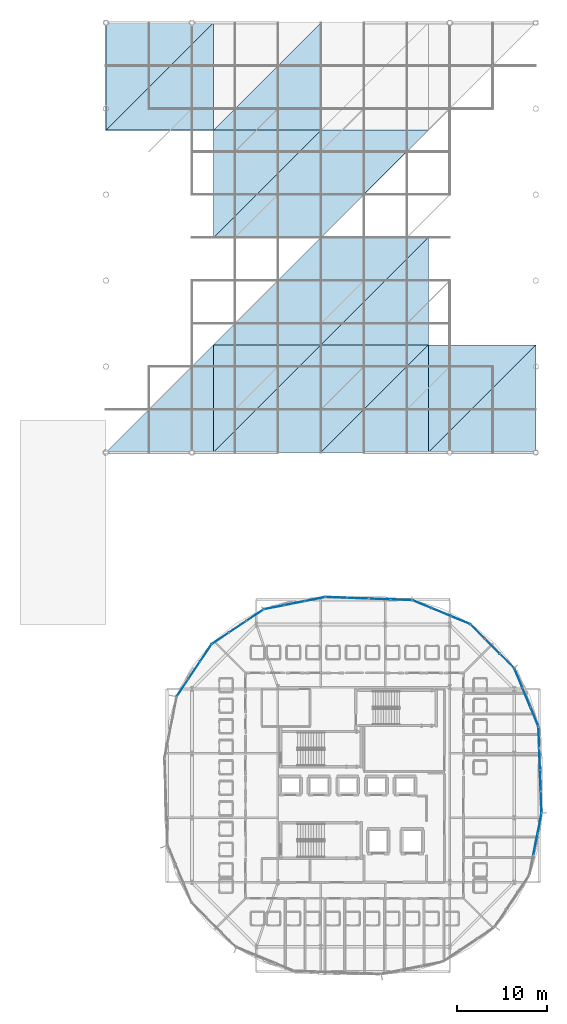
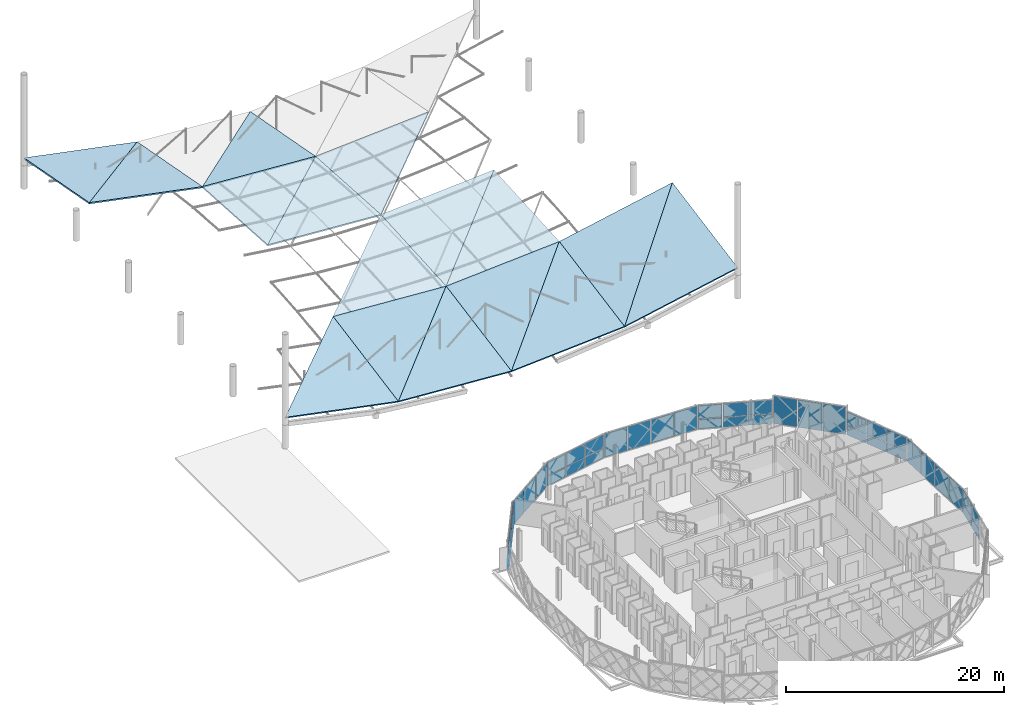
# One storey, part 26 of 40: 42 plates, 16 slabs, 9 elements without a shape of their own.
"""IFC4 building model written with IfcOpenShell, lengths in metres."""

from ifc_helpers import new_model, si_unit, direction, frame, origin, origin_2d, place, context, subcontext, project, spatial, polyline, rectangle, outline, extrude, material, layer, layer_set, type_object, element, aggregate, save


model = new_model("IFC4")

# Units and contexts
model_context = context("Model", 3, precision=1e-05, world=origin(), true_north=direction((0.0, 1.0)))
body_context = subcontext(model_context, "Body", "Model", "MODEL_VIEW")
ifc_project = project(units=[si_unit("LENGTHUNIT", "METRE"), si_unit("AREAUNIT", "SQUARE_METRE"), si_unit("VOLUMEUNIT", "CUBIC_METRE"), si_unit("PLANEANGLEUNIT", "RADIAN"), si_unit("MASSUNIT", "GRAM", prefix="KILO")], contexts=[model_context])

# Site, building, storey
site_placement = place(None, origin())
site = spatial("IfcSite", under=ifc_project, at=site_placement, CompositionType="ELEMENT")
building_placement = place(site_placement, origin())
building = spatial("IfcBuilding", under=site, at=building_placement, Name="Zevrakil Square Congress Hotel", CompositionType="ELEMENT")
storey_placement = place(building_placement, frame((0.0, 0.0, 18.10009765625)))
storey = spatial("IfcBuildingStorey", under=building, at=storey_placement, Name="L05", CompositionType="ELEMENT", Elevation=18.10009765625)

# Curtain wall, plates
ifc_material_1 = material(Name="Aluminium Anodised Bronze", Category="aluminium")
ifc_layer_1 = layer(ifc_material_1, 0.179931640625)
ifc_layer_set_1 = layer_set([ifc_layer_1], Name="Aluminium Anodised Bronze")
curtain_wall_type_1 = type_object("IfcCurtainWallType", Name="CW-L05-720", PredefinedType="USERDEFINED", material=ifc_layer_set_1)
curtain_wall_1_placement = place(storey_placement, origin())
curtain_wall_1 = element("IfcCurtainWall", 1, at=curtain_wall_1_placement, inside=storey, type_object=curtain_wall_type_1, Name="L05 diamond curtain wall CW-L05-0186", ObjectType="GLAZED CURTAIN WALL", PredefinedType="USERDEFINED")
ifc_material_2 = material(Name="Low-E Solar Control Double Glazing", Category="glass")
ifc_layer_2 = layer(ifc_material_2, 0.028076171875)
ifc_layer_set_2 = layer_set([ifc_layer_2], Name="Low-E Solar Control Double Glazing")
plate_type_1 = type_object("IfcPlateType", Name="CWP-GLAZ-28", PredefinedType="CURTAIN_PANEL", material=ifc_layer_set_2)
plate_1_placement = place(storey_placement, frame((165.569091796875, 21.06689453125, 1.1826171875), z_axis=(0.0, 0.0, 1.0), x_axis=(0.195083900459, 0.980786557708, 0.0)))
plate_1 = element("IfcPlate", 2, at=plate_1_placement, type_object=plate_type_1, Name="CW-58 panel 2.2", PredefinedType="CURTAIN_PANEL", context=body_context, shape_type="SweptSolid", body=[
    extrude(rectangle(XDim=2.275146484375, YDim=0.028076171875, at=origin_2d()), origin(), (0.0, 0.0, 1.0), 1.502197265625),
])
plate_2_placement = place(storey_placement, frame((166.021728515625, 23.342529296875, 1.1826171875), z_axis=(0.0, 0.0, 1.0), x_axis=(0.195083900459, 0.980786557708, 0.0)))
plate_2 = element("IfcPlate", 3, at=plate_2_placement, type_object=plate_type_1, Name="CW-58 panel 3.2", PredefinedType="CURTAIN_PANEL", context=body_context, shape_type="SweptSolid", body=[
    extrude(rectangle(XDim=2.2451171875, YDim=0.028076171875, at=origin_2d()), origin(), (0.0, 0.0, 1.0), 1.502197265625),
])

# Curtain wall, plate
ifc_material_3 = material(Name="Aluminium Anodised Bronze", Category="aluminium")
ifc_layer_3 = layer(ifc_material_3, 0.179931640625)
ifc_layer_set_3 = layer_set([ifc_layer_3], Name="Aluminium Anodised Bronze")
curtain_wall_type_2 = type_object("IfcCurtainWallType", Name="CW-L05-900", PredefinedType="USERDEFINED", material=ifc_layer_set_3)
curtain_wall_2_placement = place(storey_placement, origin())
curtain_wall_2 = element("IfcCurtainWall", 4, at=curtain_wall_2_placement, inside=storey, type_object=curtain_wall_type_2, Name="L05 diamond curtain wall CW-L05-0187", ObjectType="GLAZED CURTAIN WALL", PredefinedType="USERDEFINED")
plate_3_placement = place(storey_placement, frame((166.036865234375, 30.563720703125, 0.059814453125), z_axis=(0.0, 0.0, 1.0), x_axis=(-0.035552588564, 0.999367806889, 0.0)))
plate_3 = element("IfcPlate", 5, at=plate_3_placement, type_object=plate_type_1, Name="CW-60 panel 3.1", PredefinedType="CURTAIN_PANEL", context=body_context, shape_type="SweptSolid", body=[
    extrude(rectangle(XDim=2.365966796875, YDim=0.028076171875, at=origin_2d()), origin(), (0.0, 0.0, 1.0), 2.625),
])

# Curtain wall, plates
curtain_wall_3_placement = place(storey_placement, origin())
curtain_wall_3 = element("IfcCurtainWall", 6, at=curtain_wall_3_placement, inside=storey, type_object=curtain_wall_type_1, Name="L05 diamond curtain wall CW-L05-0188", ObjectType="GLAZED CURTAIN WALL", PredefinedType="USERDEFINED")
plate_4_placement = place(storey_placement, frame((165.454833984375, 35.29296875, 1.1826171875), z_axis=(0.0, 0.0, 1.0), x_axis=(-0.382683763454, 0.92387939537, 0.0)))
plate_4 = element("IfcPlate", 7, at=plate_4_placement, type_object=plate_type_1, Name="CW-58 panel 1.2", PredefinedType="CURTAIN_PANEL", context=body_context, shape_type="SweptSolid", body=[
    extrude(rectangle(XDim=2.245361328125, YDim=0.028076171875, at=origin_2d()), origin(), (0.0, 0.0, 1.0), 1.502197265625),
])
plate_5_placement = place(storey_placement, frame((164.56689453125, 37.4365234375, 1.1826171875), z_axis=(0.0, 0.0, 1.0), x_axis=(-0.382683763454, 0.92387939537, 0.0)))
plate_5 = element("IfcPlate", 8, at=plate_5_placement, type_object=plate_type_1, Name="CW-58 panel 2.2", PredefinedType="CURTAIN_PANEL", context=body_context, shape_type="SweptSolid", body=[
    extrude(rectangle(XDim=2.275146484375, YDim=0.028076171875, at=origin_2d()), origin(), (0.0, 0.0, 1.0), 1.502197265625),
])

curtain_wall_4_placement = place(storey_placement, origin())
curtain_wall_4 = element("IfcCurtainWall", 9, at=curtain_wall_4_placement, inside=storey, type_object=curtain_wall_type_1, Name="L05 diamond curtain wall CW-L05-0189", ObjectType="GLAZED CURTAIN WALL", PredefinedType="USERDEFINED")
plate_6_placement = place(storey_placement, frame((162.390380859375, 41.509033203125, 0.06005859375), z_axis=(0.0, 0.0, 1.0), x_axis=(-0.707106781187, 0.707106781187, 0.0)))
plate_6 = element("IfcPlate", 10, at=plate_6_placement, type_object=plate_type_1, Name="CW-58 panel 1.1", PredefinedType="CURTAIN_PANEL", context=body_context, shape_type="SweptSolid", body=[
    extrude(rectangle(XDim=2.2451171875, YDim=0.028076171875, at=origin_2d()), origin(), (0.0, 0.0, 1.0), 3.090087890625),
])
plate_7_placement = place(storey_placement, frame((159.109130859375, 44.790283203125, 0.06005859375), z_axis=(0.0, 0.0, 1.0), x_axis=(-0.707106781187, 0.707106781187, 0.0)))
plate_7 = element("IfcPlate", 11, at=plate_7_placement, type_object=plate_type_1, Name="CW-58 panel 3.1", PredefinedType="CURTAIN_PANEL", context=body_context, shape_type="SweptSolid", body=[
    extrude(rectangle(XDim=2.2451171875, YDim=0.028076171875, at=origin_2d()), origin(), (0.0, 0.0, 1.0), 3.090087890625),
])

curtain_wall_5_placement = place(storey_placement, origin())
curtain_wall_5 = element("IfcCurtainWall", 12, at=curtain_wall_5_placement, inside=storey, type_object=curtain_wall_type_1, Name="L05 diamond curtain wall CW-L05-0190", ObjectType="GLAZED CURTAIN WALL", PredefinedType="USERDEFINED")
plate_8_placement = place(storey_placement, frame((157.18017578125, 46.0791015625, 1.1826171875), z_axis=(0.0, 0.0, 1.0), x_axis=(-0.92387939537, 0.382683763454, 0.0)))
plate_8 = element("IfcPlate", 13, at=plate_8_placement, type_object=plate_type_1, Name="CW-58 panel 1.2", PredefinedType="CURTAIN_PANEL", context=body_context, shape_type="SweptSolid", body=[
    extrude(rectangle(XDim=2.245361328125, YDim=0.028076171875, at=origin_2d()), origin(), (0.0, 0.0, 1.0), 1.502197265625),
])
plate_9_placement = place(storey_placement, frame((152.892822265625, 47.85498046875, 0.059814453125), z_axis=(0.0, 0.0, 1.0), x_axis=(-0.92387939537, 0.382683763454, 0.0)))
plate_9 = element("IfcPlate", 14, at=plate_9_placement, type_object=plate_type_1, Name="CW-58 panel 3.1", PredefinedType="CURTAIN_PANEL", context=body_context, shape_type="SweptSolid", body=[
    extrude(rectangle(XDim=2.245361328125, YDim=0.028076171875, at=origin_2d()), origin(), (0.0, 0.0, 1.0), 1.06298828125),
])

curtain_wall_6_placement = place(storey_placement, origin())
curtain_wall_6 = element("IfcCurtainWall", 15, at=curtain_wall_6_placement, inside=storey, type_object=curtain_wall_type_2, Name="L05 diamond curtain wall CW-L05-0191", ObjectType="GLAZED CURTAIN WALL", PredefinedType="USERDEFINED")
plate_10_placement = place(storey_placement, frame((150.572998046875, 48.35107421875, 0.059814453125), z_axis=(0.0, 0.0, 1.0), x_axis=(-0.999367806889, 0.035552588564, 0.0)))
plate_10 = element("IfcPlate", 16, at=plate_10_placement, type_object=plate_type_1, Name="CW-60 panel 1.1", PredefinedType="CURTAIN_PANEL", context=body_context, shape_type="SweptSolid", body=[
    extrude(rectangle(XDim=2.3359375, YDim=0.028076171875, at=origin_2d()), origin(), (0.0, 0.0, 1.0), 2.625),
])
plate_11_placement = place(storey_placement, frame((143.329833984375, 48.60888671875, 0.059814453125), z_axis=(0.0, 0.0, 1.0), x_axis=(-0.999367806889, 0.035552588564, 0.0)))
plate_11 = element("IfcPlate", 17, at=plate_11_placement, type_object=plate_type_1, Name="CW-60 panel 4.1", PredefinedType="CURTAIN_PANEL", context=body_context, shape_type="SweptSolid", body=[
    extrude(rectangle(XDim=2.3359375, YDim=0.028076171875, at=origin_2d()), origin(), (0.0, 0.0, 1.0), 2.625),
])

curtain_wall_7_placement = place(storey_placement, origin())
curtain_wall_7 = element("IfcCurtainWall", 18, at=curtain_wall_7_placement, inside=storey, type_object=curtain_wall_type_1, Name="L05 diamond curtain wall CW-L05-0192", ObjectType="GLAZED CURTAIN WALL", PredefinedType="USERDEFINED")
plate_12_placement = place(storey_placement, frame((138.6669921875, 47.96923828125, 0.059814453125), z_axis=(0.0, 0.0, 1.0), x_axis=(-0.980786557708, -0.195083900459, 0.0)))
plate_12 = element("IfcPlate", 19, at=plate_12_placement, type_object=plate_type_1, Name="CW-58 panel 2.1", PredefinedType="CURTAIN_PANEL", context=body_context, shape_type="SweptSolid", body=[
    extrude(rectangle(XDim=2.275146484375, YDim=0.028076171875, at=origin_2d()), origin(), (0.0, 0.0, 1.0), 1.06298828125),
])
plate_13_placement = place(storey_placement, frame((136.391357421875, 47.5166015625, 0.059814453125), z_axis=(0.0, 0.0, 1.0), x_axis=(-0.980786557708, -0.195083900459, 0.0)))
plate_13 = element("IfcPlate", 20, at=plate_13_placement, type_object=plate_type_1, Name="CW-58 panel 3.1", PredefinedType="CURTAIN_PANEL", context=body_context, shape_type="SweptSolid", body=[
    extrude(rectangle(XDim=2.2451171875, YDim=0.028076171875, at=origin_2d()), origin(), (0.0, 0.0, 1.0), 1.06298828125),
])

# Curtain wall, plate
curtain_wall_8_placement = place(storey_placement, origin())
curtain_wall_8 = element("IfcCurtainWall", 21, at=curtain_wall_8_placement, inside=storey, type_object=curtain_wall_type_1, Name="L05 diamond curtain wall CW-L05-0193", ObjectType="GLAZED CURTAIN WALL", PredefinedType="USERDEFINED")
plate_14_placement = place(storey_placement, frame((132.31884765625, 45.339599609375, 0.059814453125), z_axis=(0.0, 0.0, 1.0), x_axis=(-0.831465693332, -0.555576098128, 0.0)))
plate_14 = element("IfcPlate", 22, at=plate_14_placement, type_object=plate_type_1, Name="CW-58 panel 2.1", PredefinedType="CURTAIN_PANEL", context=body_context, shape_type="SweptSolid", body=[
    extrude(rectangle(XDim=2.275146484375, YDim=0.028076171875, at=origin_2d()), origin(), (0.0, 0.0, 1.0), 2.625),
])

# Curtain wall, plates
curtain_wall_9_placement = place(storey_placement, origin())
curtain_wall_9 = element("IfcCurtainWall", 23, at=curtain_wall_9_placement, inside=storey, type_object=curtain_wall_type_1, Name="L05 diamond curtain wall CW-L05-0194", ObjectType="GLAZED CURTAIN WALL", PredefinedType="USERDEFINED")
plate_15_placement = place(storey_placement, frame((128.749267578125, 42.410400390625, 0.059814453125), z_axis=(0.0, 0.0, 1.0), x_axis=(-0.555576098128, -0.831465693332, 0.0)))
plate_15 = element("IfcPlate", 24, at=plate_15_placement, type_object=plate_type_1, Name="CW-58 panel 1.1", PredefinedType="CURTAIN_PANEL", context=body_context, shape_type="SweptSolid", body=[
    extrude(rectangle(XDim=2.2451171875, YDim=0.028076171875, at=origin_2d()), origin(), (0.0, 0.0, 1.0), 1.06298828125),
])
plate_16_placement = place(storey_placement, frame((127.460205078125, 40.481201171875, 0.059814453125), z_axis=(0.0, 0.0, 1.0), x_axis=(-0.555576098128, -0.831465693332, 0.0)))
plate_16 = element("IfcPlate", 25, at=plate_16_placement, type_object=plate_type_1, Name="CW-58 panel 2.1", PredefinedType="CURTAIN_PANEL", context=body_context, shape_type="SweptSolid", body=[
    extrude(rectangle(XDim=2.275146484375, YDim=0.028076171875, at=origin_2d()), origin(), (0.0, 0.0, 1.0), 1.06298828125),
])
plate_17_placement = place(storey_placement, frame((126.171142578125, 38.552001953125, 1.1826171875), z_axis=(0.0, 0.0, 1.0), x_axis=(-0.555576098128, -0.831465693332, 0.0)))
plate_17 = element("IfcPlate", 26, at=plate_17_placement, type_object=plate_type_1, Name="CW-58 panel 3.2", PredefinedType="CURTAIN_PANEL", context=body_context, shape_type="SweptSolid", body=[
    extrude(rectangle(XDim=2.2451171875, YDim=0.028076171875, at=origin_2d()), origin(), (0.0, 0.0, 1.0), 1.502197265625),
])

# Plate
ifc_material_4 = material(Name="Basalt Grey Ribbed GRC Panel", Category="masonry")
ifc_layer_4 = layer(ifc_material_4, 0.0439453125)
ifc_layer_set_4 = layer_set([ifc_layer_4], Name="Basalt Grey Ribbed GRC Panel")
plate_type_2 = type_object("IfcPlateType", Name="CWP-GRCG-44", PredefinedType="CURTAIN_PANEL", material=ifc_layer_set_4)
plate_18_placement = place(storey_placement, frame((165.569091796875, 21.06689453125, 0.059814453125), z_axis=(0.0, 0.0, 1.0), x_axis=(0.195083900459, 0.980786557708, 0.0)))
plate_18 = element("IfcPlate", 27, at=plate_18_placement, type_object=plate_type_2, Name="CW-58 panel 2.1", PredefinedType="CURTAIN_PANEL", context=body_context, shape_type="SweptSolid", body=[
    extrude(rectangle(XDim=2.275146484375, YDim=0.028076171875, at=origin_2d()), origin(), (0.0, 0.0, 1.0), 1.06298828125),
])

plate_19_placement = place(storey_placement, frame((166.123046875, 28.13916015625, 0.059814453125), z_axis=(0.0, 0.0, 1.0), x_axis=(-0.035552588564, 0.999367806889, 0.0)))
plate_19 = element("IfcPlate", 28, at=plate_19_placement, type_object=plate_type_2, Name="CW-60 panel 2.1", PredefinedType="CURTAIN_PANEL", context=body_context, shape_type="SweptSolid", body=[
    extrude(rectangle(XDim=2.365966796875, YDim=0.028076171875, at=origin_2d()), origin(), (0.0, 0.0, 1.0), 2.625),
])

plate_20_placement = place(storey_placement, frame((165.454833984375, 35.29296875, 0.059814453125), z_axis=(0.0, 0.0, 1.0), x_axis=(-0.382683763454, 0.92387939537, 0.0)))
plate_20 = element("IfcPlate", 29, at=plate_20_placement, type_object=plate_type_2, Name="CW-58 panel 1.1", PredefinedType="CURTAIN_PANEL", context=body_context, shape_type="SweptSolid", body=[
    extrude(rectangle(XDim=2.245361328125, YDim=0.028076171875, at=origin_2d()), origin(), (0.0, 0.0, 1.0), 1.06298828125),
])

plate_21_placement = place(storey_placement, frame((163.678955078125, 39.580078125, 1.1826171875), z_axis=(0.0, 0.0, 1.0), x_axis=(-0.382683763454, 0.92387939537, 0.0)))
plate_21 = element("IfcPlate", 30, at=plate_21_placement, type_object=plate_type_2, Name="CW-58 panel 3.2", PredefinedType="CURTAIN_PANEL", context=body_context, shape_type="SweptSolid", body=[
    extrude(rectangle(XDim=2.245361328125, YDim=0.028076171875, at=origin_2d()), origin(), (0.0, 0.0, 1.0), 1.502197265625),
])

plate_22_placement = place(storey_placement, frame((155.03662109375, 46.967041015625, 1.1826171875), z_axis=(0.0, 0.0, 1.0), x_axis=(-0.92387939537, 0.382683763454, 0.0)))
plate_22 = element("IfcPlate", 31, at=plate_22_placement, type_object=plate_type_2, Name="CW-58 panel 2.2", PredefinedType="CURTAIN_PANEL", context=body_context, shape_type="SweptSolid", body=[
    extrude(rectangle(XDim=2.275146484375, YDim=0.028076171875, at=origin_2d()), origin(), (0.0, 0.0, 1.0), 1.502197265625),
])

plate_23_placement = place(storey_placement, frame((145.7392578125, 48.523193359375, 0.059814453125), z_axis=(0.0, 0.0, 1.0), x_axis=(-0.999367806889, 0.035552588564, 0.0)))
plate_23 = element("IfcPlate", 32, at=plate_23_placement, type_object=plate_type_2, Name="CW-60 panel 3.1", PredefinedType="CURTAIN_PANEL", context=body_context, shape_type="SweptSolid", body=[
    extrude(rectangle(XDim=2.365966796875, YDim=0.028076171875, at=origin_2d()), origin(), (0.0, 0.0, 1.0), 2.625),
])

plate_24_placement = place(storey_placement, frame((140.942626953125, 48.421875, 1.1826171875), z_axis=(0.0, 0.0, 1.0), x_axis=(-0.980786557708, -0.195083900459, 0.0)))
plate_24 = element("IfcPlate", 33, at=plate_24_placement, type_object=plate_type_2, Name="CW-58 panel 1.2", PredefinedType="CURTAIN_PANEL", context=body_context, shape_type="SweptSolid", body=[
    extrude(rectangle(XDim=2.2451171875, YDim=0.028076171875, at=origin_2d()), origin(), (0.0, 0.0, 1.0), 1.502197265625),
])

plate_25_placement = place(storey_placement, frame((134.248046875, 46.628662109375, 0.059814453125), z_axis=(0.0, 0.0, 1.0), x_axis=(-0.831465693332, -0.555576098128, 0.0)))
plate_25 = element("IfcPlate", 34, at=plate_25_placement, type_object=plate_type_2, Name="CW-58 panel 1.1", PredefinedType="CURTAIN_PANEL", context=body_context, shape_type="SweptSolid", body=[
    extrude(rectangle(XDim=2.2451171875, YDim=0.028076171875, at=origin_2d()), origin(), (0.0, 0.0, 1.0), 2.625),
])

plate_26_placement = place(storey_placement, frame((126.171142578125, 38.552001953125, 0.059814453125), z_axis=(0.0, 0.0, 1.0), x_axis=(-0.555576098128, -0.831465693332, 0.0)))
plate_26 = element("IfcPlate", 35, at=plate_26_placement, type_object=plate_type_2, Name="CW-58 panel 3.1", PredefinedType="CURTAIN_PANEL", context=body_context, shape_type="SweptSolid", body=[
    extrude(rectangle(XDim=2.2451171875, YDim=0.028076171875, at=origin_2d()), origin(), (0.0, 0.0, 1.0), 1.06298828125),
])

ifc_material_5 = material(Name="White Ribbed Highland GRC Panel", Category="concrete")
ifc_layer_5 = layer(ifc_material_5, 0.0400390625)
ifc_layer_set_5 = layer_set([ifc_layer_5], Name="White Ribbed Highland GRC Panel")
plate_type_3 = type_object("IfcPlateType", Name="CWP-GRCW-40", PredefinedType="CURTAIN_PANEL", material=ifc_layer_set_5)
plate_27_placement = place(storey_placement, frame((166.021728515625, 23.342529296875, 0.059814453125), z_axis=(0.0, 0.0, 1.0), x_axis=(0.195083900459, 0.980786557708, 0.0)))
plate_27 = element("IfcPlate", 36, at=plate_27_placement, type_object=plate_type_3, Name="CW-58 panel 3.1", PredefinedType="CURTAIN_PANEL", context=body_context, shape_type="SweptSolid", body=[
    extrude(rectangle(XDim=2.2451171875, YDim=0.028076171875, at=origin_2d()), origin(), (0.0, 0.0, 1.0), 1.06298828125),
])

aggregate(curtain_wall_1, [plate_18, plate_1, plate_27, plate_2])

plate_28_placement = place(storey_placement, frame((166.208740234375, 25.729736328125, 0.059814453125), z_axis=(0.0, 0.0, 1.0), x_axis=(-0.035552588564, 0.999367806889, 0.0)))
plate_28 = element("IfcPlate", 37, at=plate_28_placement, type_object=plate_type_3, Name="CW-60 panel 1.1", PredefinedType="CURTAIN_PANEL", context=body_context, shape_type="SweptSolid", body=[
    extrude(rectangle(XDim=2.3359375, YDim=0.028076171875, at=origin_2d()), origin(), (0.0, 0.0, 1.0), 2.625),
])

plate_29_placement = place(storey_placement, frame((165.951171875, 32.97314453125, 0.059814453125), z_axis=(0.0, 0.0, 1.0), x_axis=(-0.035552588564, 0.999367806889, 0.0)))
plate_29 = element("IfcPlate", 38, at=plate_29_placement, type_object=plate_type_3, Name="CW-60 panel 4.1", PredefinedType="CURTAIN_PANEL", context=body_context, shape_type="SweptSolid", body=[
    extrude(rectangle(XDim=2.3359375, YDim=0.028076171875, at=origin_2d()), origin(), (0.0, 0.0, 1.0), 2.625),
])

aggregate(curtain_wall_2, [plate_28, plate_19, plate_3, plate_29])

plate_30_placement = place(storey_placement, frame((164.56689453125, 37.4365234375, 0.059814453125), z_axis=(0.0, 0.0, 1.0), x_axis=(-0.382683763454, 0.92387939537, 0.0)))
plate_30 = element("IfcPlate", 39, at=plate_30_placement, type_object=plate_type_3, Name="CW-58 panel 2.1", PredefinedType="CURTAIN_PANEL", context=body_context, shape_type="SweptSolid", body=[
    extrude(rectangle(XDim=2.275146484375, YDim=0.028076171875, at=origin_2d()), origin(), (0.0, 0.0, 1.0), 1.06298828125),
])

plate_31_placement = place(storey_placement, frame((163.678955078125, 39.580078125, 0.059814453125), z_axis=(0.0, 0.0, 1.0), x_axis=(-0.382683763454, 0.92387939537, 0.0)))
plate_31 = element("IfcPlate", 40, at=plate_31_placement, type_object=plate_type_3, Name="CW-58 panel 3.1", PredefinedType="CURTAIN_PANEL", context=body_context, shape_type="SweptSolid", body=[
    extrude(rectangle(XDim=2.245361328125, YDim=0.028076171875, at=origin_2d()), origin(), (0.0, 0.0, 1.0), 1.06298828125),
])

aggregate(curtain_wall_3, [plate_20, plate_4, plate_30, plate_5, plate_31, plate_21])

plate_32_placement = place(storey_placement, frame((160.749755859375, 43.149658203125, 0.06005859375), z_axis=(0.0, 0.0, 1.0), x_axis=(-0.707106781187, 0.707106781187, 0.0)))
plate_32 = element("IfcPlate", 41, at=plate_32_placement, type_object=plate_type_3, Name="CW-58 panel 2.1", PredefinedType="CURTAIN_PANEL", context=body_context, shape_type="SweptSolid", body=[
    extrude(rectangle(XDim=2.275146484375, YDim=0.028076171875, at=origin_2d()), origin(), (0.0, 0.0, 1.0), 3.090087890625),
])

aggregate(curtain_wall_4, [plate_6, plate_32, plate_7])

plate_33_placement = place(storey_placement, frame((157.18017578125, 46.0791015625, 0.059814453125), z_axis=(0.0, 0.0, 1.0), x_axis=(-0.92387939537, 0.382683763454, 0.0)))
plate_33 = element("IfcPlate", 42, at=plate_33_placement, type_object=plate_type_3, Name="CW-58 panel 1.1", PredefinedType="CURTAIN_PANEL", context=body_context, shape_type="SweptSolid", body=[
    extrude(rectangle(XDim=2.245361328125, YDim=0.028076171875, at=origin_2d()), origin(), (0.0, 0.0, 1.0), 1.06298828125),
])

plate_34_placement = place(storey_placement, frame((155.03662109375, 46.967041015625, 0.059814453125), z_axis=(0.0, 0.0, 1.0), x_axis=(-0.92387939537, 0.382683763454, 0.0)))
plate_34 = element("IfcPlate", 43, at=plate_34_placement, type_object=plate_type_3, Name="CW-58 panel 2.1", PredefinedType="CURTAIN_PANEL", context=body_context, shape_type="SweptSolid", body=[
    extrude(rectangle(XDim=2.275146484375, YDim=0.028076171875, at=origin_2d()), origin(), (0.0, 0.0, 1.0), 1.06298828125),
])

plate_35_placement = place(storey_placement, frame((152.892822265625, 47.85498046875, 1.1826171875), z_axis=(0.0, 0.0, 1.0), x_axis=(-0.92387939537, 0.382683763454, 0.0)))
plate_35 = element("IfcPlate", 44, at=plate_35_placement, type_object=plate_type_3, Name="CW-58 panel 3.2", PredefinedType="CURTAIN_PANEL", context=body_context, shape_type="SweptSolid", body=[
    extrude(rectangle(XDim=2.245361328125, YDim=0.028076171875, at=origin_2d()), origin(), (0.0, 0.0, 1.0), 1.502197265625),
])

aggregate(curtain_wall_5, [plate_33, plate_8, plate_34, plate_22, plate_9, plate_35])

plate_36_placement = place(storey_placement, frame((148.16357421875, 48.436767578125, 0.059814453125), z_axis=(0.0, 0.0, 1.0), x_axis=(-0.999367806889, 0.035552588564, 0.0)))
plate_36 = element("IfcPlate", 45, at=plate_36_placement, type_object=plate_type_3, Name="CW-60 panel 2.1", PredefinedType="CURTAIN_PANEL", context=body_context, shape_type="SweptSolid", body=[
    extrude(rectangle(XDim=2.365966796875, YDim=0.028076171875, at=origin_2d()), origin(), (0.0, 0.0, 1.0), 2.625),
])

aggregate(curtain_wall_6, [plate_10, plate_36, plate_23, plate_11])

plate_37_placement = place(storey_placement, frame((140.942626953125, 48.421875, 0.059814453125), z_axis=(0.0, 0.0, 1.0), x_axis=(-0.980786557708, -0.195083900459, 0.0)))
plate_37 = element("IfcPlate", 46, at=plate_37_placement, type_object=plate_type_3, Name="CW-58 panel 1.1", PredefinedType="CURTAIN_PANEL", context=body_context, shape_type="SweptSolid", body=[
    extrude(rectangle(XDim=2.2451171875, YDim=0.028076171875, at=origin_2d()), origin(), (0.0, 0.0, 1.0), 1.06298828125),
])

plate_38_placement = place(storey_placement, frame((138.6669921875, 47.96923828125, 1.1826171875), z_axis=(0.0, 0.0, 1.0), x_axis=(-0.980786557708, -0.195083900459, 0.0)))
plate_38 = element("IfcPlate", 47, at=plate_38_placement, type_object=plate_type_3, Name="CW-58 panel 2.2", PredefinedType="CURTAIN_PANEL", context=body_context, shape_type="SweptSolid", body=[
    extrude(rectangle(XDim=2.275146484375, YDim=0.028076171875, at=origin_2d()), origin(), (0.0, 0.0, 1.0), 1.502197265625),
])

plate_39_placement = place(storey_placement, frame((136.391357421875, 47.5166015625, 1.1826171875), z_axis=(0.0, 0.0, 1.0), x_axis=(-0.980786557708, -0.195083900459, 0.0)))
plate_39 = element("IfcPlate", 48, at=plate_39_placement, type_object=plate_type_3, Name="CW-58 panel 3.2", PredefinedType="CURTAIN_PANEL", context=body_context, shape_type="SweptSolid", body=[
    extrude(rectangle(XDim=2.2451171875, YDim=0.028076171875, at=origin_2d()), origin(), (0.0, 0.0, 1.0), 1.502197265625),
])

aggregate(curtain_wall_7, [plate_37, plate_24, plate_12, plate_38, plate_13, plate_39])

plate_40_placement = place(storey_placement, frame((130.3896484375, 44.050537109375, 0.059814453125), z_axis=(0.0, 0.0, 1.0), x_axis=(-0.831465693332, -0.555576098128, 0.0)))
plate_40 = element("IfcPlate", 49, at=plate_40_placement, type_object=plate_type_3, Name="CW-58 panel 3.1", PredefinedType="CURTAIN_PANEL", context=body_context, shape_type="SweptSolid", body=[
    extrude(rectangle(XDim=2.2451171875, YDim=0.028076171875, at=origin_2d()), origin(), (0.0, 0.0, 1.0), 2.625),
])

aggregate(curtain_wall_8, [plate_25, plate_14, plate_40])

plate_41_placement = place(storey_placement, frame((128.749267578125, 42.410400390625, 1.1826171875), z_axis=(0.0, 0.0, 1.0), x_axis=(-0.555576098128, -0.831465693332, 0.0)))
plate_41 = element("IfcPlate", 50, at=plate_41_placement, type_object=plate_type_3, Name="CW-58 panel 1.2", PredefinedType="CURTAIN_PANEL", context=body_context, shape_type="SweptSolid", body=[
    extrude(rectangle(XDim=2.2451171875, YDim=0.028076171875, at=origin_2d()), origin(), (0.0, 0.0, 1.0), 1.502197265625),
])

plate_42_placement = place(storey_placement, frame((127.460205078125, 40.481201171875, 1.1826171875), z_axis=(0.0, 0.0, 1.0), x_axis=(-0.555576098128, -0.831465693332, 0.0)))
plate_42 = element("IfcPlate", 51, at=plate_42_placement, type_object=plate_type_3, Name="CW-58 panel 2.2", PredefinedType="CURTAIN_PANEL", context=body_context, shape_type="SweptSolid", body=[
    extrude(rectangle(XDim=2.275146484375, YDim=0.028076171875, at=origin_2d()), origin(), (0.0, 0.0, 1.0), 1.502197265625),
])

aggregate(curtain_wall_9, [plate_15, plate_41, plate_16, plate_42, plate_26, plate_17])

# Slabs
ifc_material_6 = material(Name="Concrete C35/45", Category="concrete")
ifc_layer_6 = layer(ifc_material_6, 0.139892578125)
ifc_layer_set_6 = layer_set([ifc_layer_6], Name="Concrete C35/45")
slab_type = type_object("IfcSlabType", Name="SLB-SADDLE-140", PredefinedType="ROOF", material=ifc_layer_set_6)
slab_1_placement = place(storey_placement, frame((117.60009765625, 64.800048828125, 3.33984375), z_axis=(0.192875555251, -0.180828190965, 0.964417018483), x_axis=(0.980582210276, 0.0, -0.196108462057)))
element("IfcSlab", 52, at=slab_1_placement, inside=storey, type_object=slab_type, Name="Congress hall anticlastic saddle roof facet 01", PredefinedType="ROOF", context=body_context, shape_type="SweptSolid", body=[
    extrude(outline(polyline([(0.0, 0.0), (12.237627681031023, -5.551115123125783e-17), (11.796383641403354, 12.201139442588675), (0.0, 0.0)])), origin(), (0.0, 0.0, -1.0), 0.139892578125),
])
slab_2_placement = place(storey_placement, frame((117.60009765625, 100.800048828125, 5.58984375), z_axis=(0.192875555251, 0.180828190965, 0.964417018483), x_axis=(0.980582210276, 0.0, -0.196108462057)))
element("IfcSlab", 53, at=slab_2_placement, inside=storey, type_object=slab_type, Name="Congress hall anticlastic saddle roof facet 07", PredefinedType="ROOF", context=body_context, shape_type="SweptSolid", body=[
    extrude(outline(polyline([(0.0, 0.0), (12.237627681031023, 5.551115123125783e-17), (12.678871720658691, 12.201139442588676), (0.0, 0.0)])), origin(), (0.0, 0.0, -1.0), 0.139892578125),
])
slab_3_placement = place(storey_placement, frame((117.60009765625, 100.800048828125, 5.58984375), z_axis=(0.192875555251, 0.180828190965, 0.964417018483), x_axis=(0.681970559239, 0.681970559239, -0.264258041814)))
element("IfcSlab", 54, at=slab_3_placement, inside=storey, type_object=slab_type, Name="Congress hall anticlastic saddle roof facet 08", PredefinedType="ROOF", context=body_context, shape_type="SweptSolid", body=[
    extrude(outline(polyline([(0.0, 0.0), (17.596067509713976, -1.1102230246251565e-16), (8.77822730494561, 8.485589277281063), (0.0, 0.0)])), origin(), (0.0, 0.0, -1.0), 0.139892578125),
])
slab_4_placement = place(storey_placement, frame((129.60009765625, 64.800048828125, 0.93994140625), z_axis=(0.065388572079, -0.183894134965, 0.980768719815), x_axis=(0.99778488838, 0.0, -0.066523052556)))
element("IfcSlab", 55, at=slab_4_placement, inside=storey, type_object=slab_type, Name="Congress hall anticlastic saddle roof facet 09", PredefinedType="ROOF", context=body_context, shape_type="SweptSolid", body=[
    extrude(outline(polyline([(0.0, 0.0), (12.026640350795569, 0.0), (11.876963482545147, 12.208197935613214), (0.0, 0.0)])), origin(), (0.0, 0.0, -1.0), 0.139892578125),
])
slab_5_placement = place(storey_placement, frame((129.60009765625, 64.800048828125, 0.93994140625), z_axis=(0.065388572079, -0.183894134965, 0.980768719815), x_axis=(0.704539937178, 0.704539937178, 0.085129042295)))
element("IfcSlab", 56, at=slab_5_placement, inside=storey, type_object=slab_type, Name="Congress hall anticlastic saddle roof facet 10", PredefinedType="ROOF", context=body_context, shape_type="SweptSolid", body=[
    extrude(outline(polyline([(0.0, 0.0), (17.032391446911433, -7.771561172376096e-16), (8.646019591301876, 8.62025783992707), (0.0, 0.0)])), origin(), (0.0, 0.0, -1.0), 0.139892578125),
])
slab_6_placement = place(storey_placement, frame((129.60009765625, 76.800048828125, 3.18994140625), z_axis=(0.066394075758, -0.062240647156, 0.995850354494), x_axis=(0.99778488838, 0.0, -0.066523052556)))
element("IfcSlab", 57, at=slab_6_placement, inside=storey, type_object=slab_type, Name="Congress hall anticlastic saddle roof facet 11", PredefinedType="ROOF", context=body_context, shape_type="SweptSolid", body=[
    extrude(outline(polyline([(0.0, 0.0), (12.026640350795569, 0.0), (11.976748061378762, 12.02331113959282), (0.0, 0.0)])), origin(), (0.0, 0.0, -1.0), 0.139892578125),
])
slab_7_placement = place(storey_placement, frame((129.60009765625, 88.800048828125, 3.93994140625), z_axis=(0.066394075758, 0.062240647156, 0.995850354494), x_axis=(0.99778488838, 0.0, -0.066523052556)))
element("IfcSlab", 58, at=slab_7_placement, inside=storey, type_object=slab_type, Name="Congress hall anticlastic saddle roof facet 13", PredefinedType="ROOF", context=body_context, shape_type="SweptSolid", body=[
    extrude(outline(polyline([(0.0, 0.0), (12.026640350795569, 0.0), (12.076532640212378, 12.023311139592819), (0.0, 0.0)])), origin(), (0.0, 0.0, -1.0), 0.139892578125),
])
slab_8_placement = place(storey_placement, frame((129.60009765625, 88.800048828125, 3.93994140625), z_axis=(0.066394075758, 0.062240647156, 0.995850354494), x_axis=(0.704175575644, 0.704175575644, -0.090958877152)))
element("IfcSlab", 59, at=slab_8_placement, inside=storey, type_object=slab_type, Name="Congress hall anticlastic saddle roof facet 14", PredefinedType="ROOF", context=body_context, shape_type="SweptSolid", body=[
    extrude(outline(polyline([(0.0, 0.0), (17.041204516394128, 9.775166787129308e-16), (8.518326065592559, 8.485317969307125), (0.0, 0.0)])), origin(), (0.0, 0.0, -1.0), 0.139892578125),
])
for number, where, z_axis, x_axis, name in (
    (60, (129.60009765625, 100.800048828125, 3.18994140625), (0.065388572079, 0.183894134965, 0.980768719815), (0.99778488838, 0.0, -0.066523052556), "Congress hall anticlastic saddle roof facet 15"),
    (61, (141.60009765625, 64.800048828125, 0.139892578125), (-0.065388572079, -0.183894134965, 0.980768719815), (0.99778488838, 0.0, 0.066523052556), "Congress hall anticlastic saddle roof facet 17"),
):
    element("IfcSlab", number, at=place(storey_placement, frame(where, z_axis=z_axis, x_axis=x_axis)), inside=storey, type_object=slab_type, Name=name, PredefinedType="ROOF", context=body_context, shape_type="SweptSolid", body=[
        extrude(outline(polyline([(0.0, 0.0), (12.026640350795569, 0.0), (12.176317219045993, 12.208197935613214), (0.0, 0.0)])), origin(), (0.0, 0.0, -1.0), 0.139892578125),
    ])
slab_9_placement = place(storey_placement, frame((141.60009765625, 64.800048828125, 0.139892578125), z_axis=(-0.065388572079, -0.183894134965, 0.980768719815), x_axis=(0.695955943214, 0.695955943214, 0.176891634086)))
element("IfcSlab", 62, at=slab_9_placement, inside=storey, type_object=slab_type, Name="Congress hall anticlastic saddle roof facet 18", PredefinedType="ROOF", context=body_context, shape_type="SweptSolid", body=[
    extrude(outline(polyline([(0.0, 0.0), (17.24247075839036, -2.7755575615628914e-16), (8.749477495263838, 8.515230094358676), (0.0, 0.0)])), origin(), (0.0, 0.0, -1.0), 0.139892578125),
])
slab_10_placement = place(storey_placement, frame((141.60009765625, 76.800048828125, 2.389892578125), z_axis=(-0.066394075758, -0.062240647156, 0.995850354494), x_axis=(0.99778488838, 0.0, 0.066523052556)))
element("IfcSlab", 63, at=slab_10_placement, inside=storey, type_object=slab_type, Name="Congress hall anticlastic saddle roof facet 19", PredefinedType="ROOF", context=body_context, shape_type="SweptSolid", body=[
    extrude(outline(polyline([(0.0, 0.0), (12.026640350795569, 0.0), (12.076532640212378, 12.023311139592819), (0.0, 0.0)])), origin(), (0.0, 0.0, -1.0), 0.139892578125),
])
slab_11_placement = place(storey_placement, frame((141.60009765625, 76.800048828125, 2.389892578125), z_axis=(-0.066394075758, -0.062240647156, 0.995850354494), x_axis=(0.704175575644, 0.704175575644, 0.090958877152)))
element("IfcSlab", 64, at=slab_11_placement, inside=storey, type_object=slab_type, Name="Congress hall anticlastic saddle roof facet 20", PredefinedType="ROOF", context=body_context, shape_type="SweptSolid", body=[
    extrude(outline(polyline([(0.0, 0.0), (17.041204516394128, 9.775166787129308e-16), (8.518326065592559, 8.485317969307125), (0.0, 0.0)])), origin(), (0.0, 0.0, -1.0), 0.139892578125),
])
slab_12_placement = place(storey_placement, frame((141.60009765625, 88.800048828125, 3.139892578125), z_axis=(-0.066394075758, 0.062240647156, 0.995850354494), x_axis=(0.70710370617, 0.70710370617, 0.002949142655)))
element("IfcSlab", 65, at=slab_12_placement, inside=storey, type_object=slab_type, Name="Congress hall anticlastic saddle roof facet 22", PredefinedType="ROOF", context=body_context, shape_type="SweptSolid", body=[
    extrude(outline(polyline([(0.0, 0.0), (16.970636549204535, 9.003214840319629e-16), (8.483032617044307, 8.520601951632436), (0.0, 0.0)])), origin(), (0.0, 0.0, -1.0), 0.139892578125),
])
slab_13_placement = place(storey_placement, frame((153.60009765625, 64.800048828125, 0.93994140625), z_axis=(-0.192875555251, -0.180828190965, 0.964417018483), x_axis=(0.980582210276, 0.0, 0.196108462057)))
element("IfcSlab", 66, at=slab_13_placement, inside=storey, type_object=slab_type, Name="Congress hall anticlastic saddle roof facet 25", PredefinedType="ROOF", context=body_context, shape_type="SweptSolid", body=[
    extrude(outline(polyline([(0.0, 0.0), (12.237627681031023, 5.551115123125783e-17), (12.678871720658691, 12.201139442588676), (0.0, 0.0)])), origin(), (0.0, 0.0, -1.0), 0.139892578125),
])
slab_14_placement = place(storey_placement, frame((153.60009765625, 64.800048828125, 0.93994140625), z_axis=(-0.192875555251, -0.180828190965, 0.964417018483), x_axis=(0.681970559239, 0.681970559239, 0.264258041814)))
element("IfcSlab", 67, at=slab_14_placement, inside=storey, type_object=slab_type, Name="Congress hall anticlastic saddle roof facet 26", PredefinedType="ROOF", context=body_context, shape_type="SweptSolid", body=[
    extrude(outline(polyline([(0.0, 0.0), (17.596067509713976, -1.1102230246251565e-16), (8.77822730494561, 8.485589277281063), (0.0, 0.0)])), origin(), (0.0, 0.0, -1.0), 0.139892578125),
])

save(model, "model.ifc")
